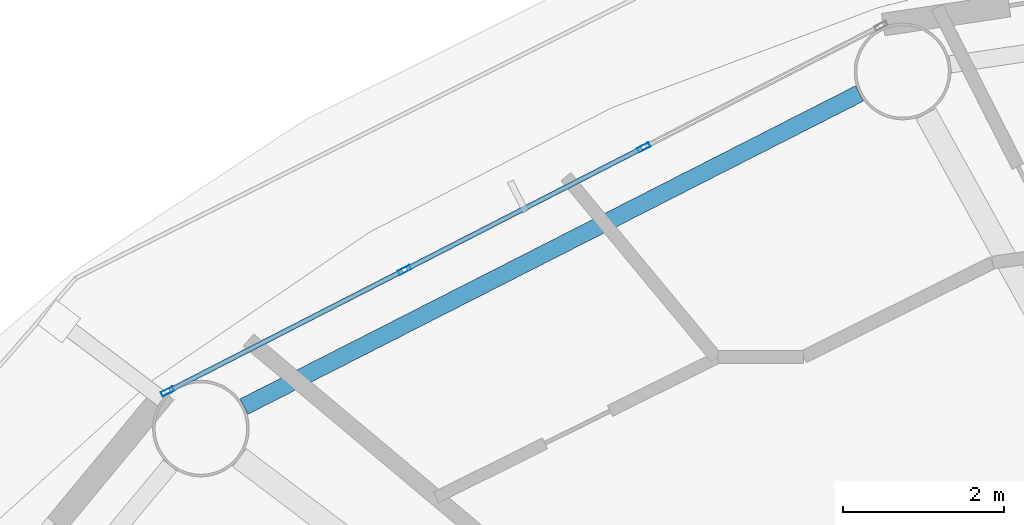
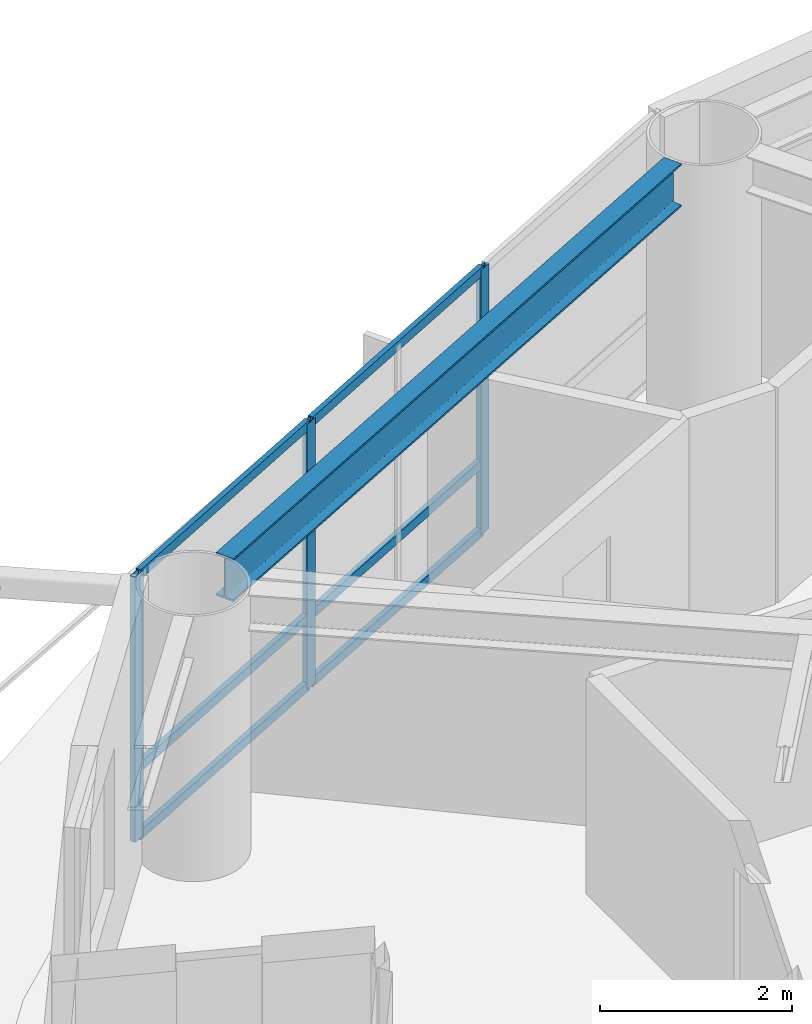
# One storey, part 11 of 28: 9 members, 1 beam, 1 element without a shape of its own.
"""IFC4 building model written with IfcOpenShell, lengths in metres."""

from ifc_helpers import new_model, si_unit, direction, frame, origin, origin_2d, place, context, subcontext, project, spatial, hollow_rectangle, i_section, extrude, material, layer, layer_set, material_profile, profile_set, type_object, element, aggregate, save


model = new_model("IFC4")

# Units and contexts
model_context = context("Model", 3, precision=1e-05, world=origin(), true_north=direction((0.0, 1.0)))
body_context = subcontext(model_context, "Body", "Model", "MODEL_VIEW")
ifc_project = project(units=[si_unit("LENGTHUNIT", "METRE"), si_unit("AREAUNIT", "SQUARE_METRE"), si_unit("VOLUMEUNIT", "CUBIC_METRE"), si_unit("PLANEANGLEUNIT", "RADIAN"), si_unit("MASSUNIT", "GRAM", prefix="KILO")], contexts=[model_context])

# Site, building, storey
site_placement = place(None, origin())
site = spatial("IfcSite", under=ifc_project, at=site_placement, CompositionType="ELEMENT")
building_placement = place(site_placement, origin())
building = spatial("IfcBuilding", under=site, at=building_placement, Name="Sarneth Arch Tower", CompositionType="ELEMENT")
storey_placement = place(building_placement, frame((0.0, 0.0, 179.39990234375)))
storey = spatial("IfcBuildingStorey", under=building, at=storey_placement, Name="L45", CompositionType="ELEMENT", Elevation=179.39990234375)

# Beam
ifc_material_1 = material(Name="Steel S355", Category="steel")
ifc_material_profile_1 = material_profile(ifc_material_1, i_section(OverallWidth=0.214111328125, OverallDepth=0.549072265625, WebThickness=0.0146484375, FlangeThickness=0.023681640625, FilletRadius=0.01806640625, at=origin_2d()), Name="W530x138")
ifc_profile_set_1 = profile_set([ifc_material_profile_1], Name="Steel S355")
beam_type = type_object("IfcBeamType", Name="BM-RAD-530A", PredefinedType="BEAM", material=ifc_profile_set_1)
beam_placement = place(storey_placement, frame((37.04345703125, 60.621337890625, 3.105712890625), z_axis=(-0.891250372735, -0.453511601945, 0.0), x_axis=(0.453511601945, -0.891250372735, 0.0)))
element("IfcBeam", 1, at=beam_placement, inside=storey, type_object=beam_type, Name="L45 Perimeter spandrel beam 06", PredefinedType="BEAM", context=body_context, shape_type="SweptSolid", body=[
    extrude(i_section(OverallWidth=0.214111328125, OverallDepth=0.549072265625, WebThickness=0.0146484375, FlangeThickness=0.023681640625, FilletRadius=0.01806640625, at=origin_2d()), origin(), (0.0, 0.0, 1.0), 8.5751953125),
])

# Curtain wall, members
ifc_material_2 = material(Name="Anodised aluminium Type AA25 and solar-control low-e laminated IGU", Category="aluminium")
ifc_layer = layer(ifc_material_2, 0.169921875)
ifc_layer_set = layer_set([ifc_layer], Name="Anodised aluminium Type AA25 and solar-control low-e laminated IGU")
curtain_wall_type = type_object("IfcCurtainWallType", Name="CW-RES-MID", PredefinedType="NOTDEFINED", material=ifc_layer_set)
curtain_wall_placement = place(storey_placement, origin())
curtain_wall = element("IfcCurtainWall", 2, at=curtain_wall_placement, inside=storey, type_object=curtain_wall_type, Name="L45 Unitised curtain wall facet 06", PredefinedType="NOTDEFINED")
ifc_material_3 = material(Name="Anodised Aluminium 6063-T6", Category="aluminium")
ifc_material_profile_2 = material_profile(ifc_material_3, hollow_rectangle(XDim=0.06005859375, YDim=0.159912109375, WallThickness=0.00390625, at=origin_2d()), Name="AL-MULL-160x60x4")
ifc_profile_set_2 = profile_set([ifc_material_profile_2], Name="Anodised Aluminium 6063-T6")
member_type_1 = type_object("IfcMemberType", Name="CW-MULLION", PredefinedType="MULLION", material=ifc_profile_set_2)
member_1_placement = place(storey_placement, frame((34.365966796875, 59.9521484375, 0.0), z_axis=(0.0, 0.0, 1.0), x_axis=(0.456208470329, -0.88987293003, 0.0)))
member_1 = element("IfcMember", 3, at=member_1_placement, type_object=member_type_1, Name="CW-SYS-5 mullion 2", PredefinedType="MULLION", context=body_context, shape_type="SweptSolid", body=[
    extrude(hollow_rectangle(XDim=0.06005859375, YDim=0.159912109375, WallThickness=0.00390625, at=origin_2d()), origin(), (0.0, 0.0, 1.0), 3.380126953125),
])
member_2_placement = place(storey_placement, frame((31.39501953125, 58.428955078125, 0.0), z_axis=(0.0, 0.0, 1.0), x_axis=(0.456208470329, -0.88987293003, 0.0)))
member_2 = element("IfcMember", 4, at=member_2_placement, type_object=member_type_1, Name="CW-SYS-5 mullion 3", PredefinedType="MULLION", context=body_context, shape_type="SweptSolid", body=[
    extrude(hollow_rectangle(XDim=0.06005859375, YDim=0.159912109375, WallThickness=0.00390625, at=origin_2d()), origin(), (0.0, 0.0, 1.0), 3.380126953125),
])
member_3_placement = place(storey_placement, frame((28.450439453125, 56.91943359375, 0.0), z_axis=(0.0, 0.0, 1.0), x_axis=(0.456208470329, -0.88987293003, 0.0)))
member_3 = element("IfcMember", 5, at=member_3_placement, type_object=member_type_1, Name="CW-SYS-5 mullion 4", PredefinedType="MULLION", context=body_context, shape_type="SweptSolid", body=[
    extrude(hollow_rectangle(XDim=0.06005859375, YDim=0.159912109375, WallThickness=0.00390625, at=origin_2d()), origin(), (0.0, 0.0, 1.0), 3.380126953125),
])
ifc_material_4 = material(Name="Anodised Aluminium 6063-T6", Category="aluminium")
ifc_material_profile_3 = material_profile(ifc_material_4, hollow_rectangle(XDim=0.06005859375, YDim=0.1201171875, WallThickness=0.00390625, at=origin_2d()), Name="AL-TRAN-120x60x4")
ifc_profile_set_3 = profile_set([ifc_material_profile_3], Name="Anodised Aluminium 6063-T6")
member_type_2 = type_object("IfcMemberType", Name="CW-TRANSOM", PredefinedType="USERDEFINED", material=ifc_profile_set_3)
member_4_placement = place(storey_placement, frame((34.33935546875, 59.9384765625, 0.030029296875), z_axis=(-0.889869396751, -0.45621536222, 0.0), x_axis=(0.45621536222, -0.889869396751, 0.0)))
member_4 = element("IfcMember", 6, at=member_4_placement, type_object=member_type_2, Name="CW-SYS-5 transom 2.1", ObjectType="TRANSOM", PredefinedType="USERDEFINED", context=body_context, shape_type="SweptSolid", body=[
    extrude(hollow_rectangle(XDim=0.06005859375, YDim=0.1201171875, WallThickness=0.00390625, at=origin_2d()), origin(), (0.0, 0.0, 1.0), 3.27880859375),
])
member_5_placement = place(storey_placement, frame((34.33935546875, 59.9384765625, 0.900146484375), z_axis=(-0.889869396751, -0.45621536222, 0.0), x_axis=(0.45621536222, -0.889869396751, 0.0)))
member_5 = element("IfcMember", 7, at=member_5_placement, type_object=member_type_2, Name="CW-SYS-5 transom 2.2", ObjectType="TRANSOM", PredefinedType="USERDEFINED", context=body_context, shape_type="SweptSolid", body=[
    extrude(hollow_rectangle(XDim=0.06005859375, YDim=0.1201171875, WallThickness=0.00390625, at=origin_2d()), origin(), (0.0, 0.0, 1.0), 3.27880859375),
])
member_6_placement = place(storey_placement, frame((34.33935546875, 59.9384765625, 3.35009765625), z_axis=(-0.889869396751, -0.45621536222, 0.0), x_axis=(0.45621536222, -0.889869396751, 0.0)))
member_6 = element("IfcMember", 8, at=member_6_placement, type_object=member_type_2, Name="CW-SYS-5 transom 2.3", ObjectType="TRANSOM", PredefinedType="USERDEFINED", context=body_context, shape_type="SweptSolid", body=[
    extrude(hollow_rectangle(XDim=0.06005859375, YDim=0.1201171875, WallThickness=0.00390625, at=origin_2d()), origin(), (0.0, 0.0, 1.0), 3.27880859375),
])
member_7_placement = place(storey_placement, frame((31.3681640625, 58.415283203125, 0.030029296875), z_axis=(-0.889857362344, -0.456238835131, 0.0), x_axis=(0.456238835131, -0.889857362344, 0.0)))
member_7 = element("IfcMember", 9, at=member_7_placement, type_object=member_type_2, Name="CW-SYS-5 transom 3.1", ObjectType="TRANSOM", PredefinedType="USERDEFINED", context=body_context, shape_type="SweptSolid", body=[
    extrude(hollow_rectangle(XDim=0.06005859375, YDim=0.1201171875, WallThickness=0.00390625, at=origin_2d()), origin(), (0.0, 0.0, 1.0), 3.248779296875),
])
member_8_placement = place(storey_placement, frame((31.3681640625, 58.415283203125, 0.900146484375), z_axis=(-0.889857362344, -0.456238835131, 0.0), x_axis=(0.456238835131, -0.889857362344, 0.0)))
member_8 = element("IfcMember", 10, at=member_8_placement, type_object=member_type_2, Name="CW-SYS-5 transom 3.2", ObjectType="TRANSOM", PredefinedType="USERDEFINED", context=body_context, shape_type="SweptSolid", body=[
    extrude(hollow_rectangle(XDim=0.06005859375, YDim=0.1201171875, WallThickness=0.00390625, at=origin_2d()), origin(), (0.0, 0.0, 1.0), 3.248779296875),
])
member_9_placement = place(storey_placement, frame((31.3681640625, 58.415283203125, 3.35009765625), z_axis=(-0.889857362344, -0.456238835131, 0.0), x_axis=(0.456238835131, -0.889857362344, 0.0)))
member_9 = element("IfcMember", 11, at=member_9_placement, type_object=member_type_2, Name="CW-SYS-5 transom 3.3", ObjectType="TRANSOM", PredefinedType="USERDEFINED", context=body_context, shape_type="SweptSolid", body=[
    extrude(hollow_rectangle(XDim=0.06005859375, YDim=0.1201171875, WallThickness=0.00390625, at=origin_2d()), origin(), (0.0, 0.0, 1.0), 3.248779296875),
])
aggregate(curtain_wall, [member_1, member_2, member_3, member_4, member_5, member_6, member_7, member_8, member_9])

save(model, "model.ifc")
